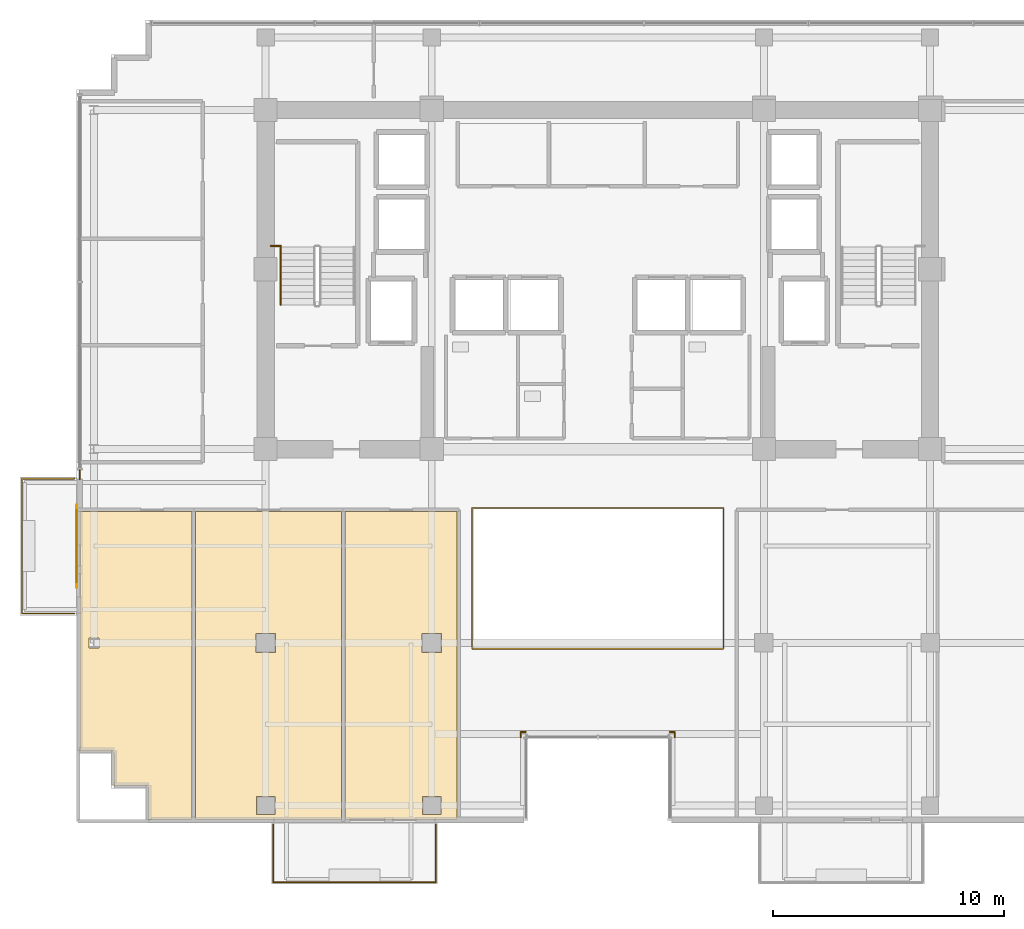
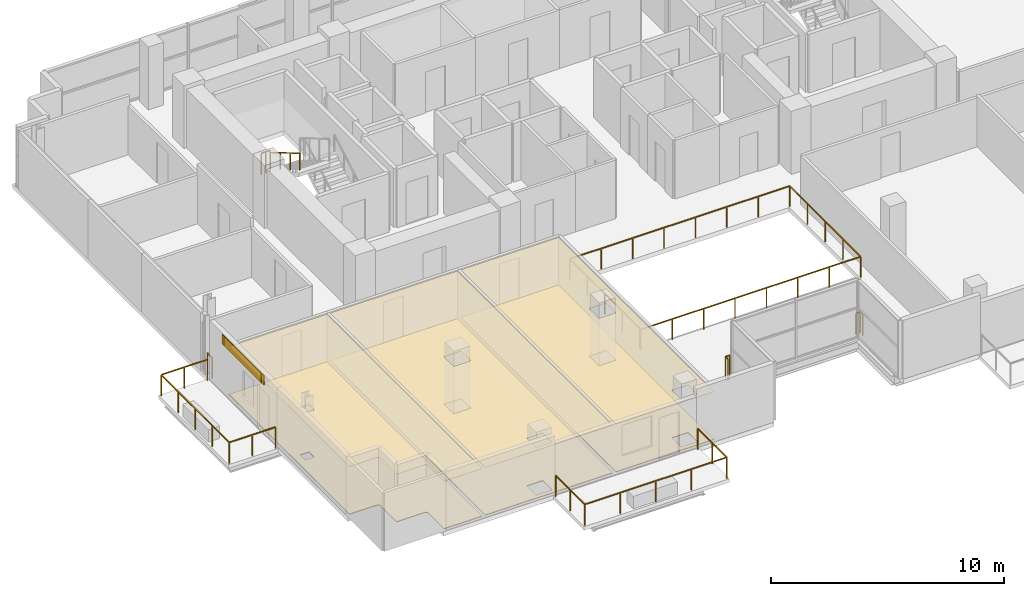
# One storey, part 19 of 22: 10 railings, 7 coverings, 1 shading device.
"""IFC4 building model written with IfcOpenShell, lengths in metres."""

from ifc_helpers import new_model, si_unit, direction, frame, origin, origin_2d, place, context, subcontext, project, spatial, polyline, rectangle, outline, extrude, source, transform, mapped, material, layer, layer_set, type_object, element, save


model = new_model("IFC4")

# Units and contexts
model_context = context("Model", 3, precision=1e-05, world=origin(), true_north=direction((0.0, 1.0)))
body_context = subcontext(model_context, "Body", "Model", "MODEL_VIEW")
ifc_project = project(units=[si_unit("LENGTHUNIT", "METRE"), si_unit("AREAUNIT", "SQUARE_METRE"), si_unit("VOLUMEUNIT", "CUBIC_METRE"), si_unit("PLANEANGLEUNIT", "RADIAN"), si_unit("MASSUNIT", "GRAM", prefix="KILO")], contexts=[model_context])

# Site, building, storey
site_placement = place(None, origin())
site = spatial("IfcSite", under=ifc_project, at=site_placement, CompositionType="ELEMENT")
building_placement = place(site_placement, origin())
building = spatial("IfcBuilding", under=site, at=building_placement, Name="Zarnakvel Exchange Tower", CompositionType="ELEMENT")
storey_placement = place(building_placement, frame((0.0, 0.0, 179.199951171875)))
storey = spatial("IfcBuildingStorey", under=building, at=storey_placement, Name="L50", CompositionType="ELEMENT", Elevation=179.199951171875)

# Coverings
ifc_material_1 = material(Name="Perforated Bronze Acoustic Metal Ceiling", Category="aluminium")
ifc_layer_1 = layer(ifc_material_1, 0.02001953125)
ifc_layer_set_1 = layer_set([ifc_layer_1], Name="Perforated Bronze Acoustic Metal Ceiling")
covering_type_1 = type_object("IfcCoveringType", Name="CLG-01", PredefinedType="CEILING", material=ifc_layer_set_1)
covering_1_placement = place(storey_placement, frame((0.0, 0.0, 2.505126953125)))
element("IfcCovering", 1, at=covering_1_placement, inside=storey, type_object=covering_type_1, Name="L50 Suspended Acoustic Ceiling (Commodities Dealing Room)", PredefinedType="CEILING", context=body_context, shape_type="SweptSolid", body=[
    extrude(outline(polyline([(-17.59228515625, -3.909912109375), (-17.59228515625, -17.25), (-19.47998046875, -17.25), (-19.47998046875, -15.89990234375), (-19.48046875, -15.88818359375), (-19.482421875, -15.876708984375), (-19.485107421875, -15.865234375), (-19.489013671875, -15.85400390625), (-19.494140625, -15.843505859375), (-19.500244140625, -15.833251953125), (-19.50732421875, -15.823974609375), (-19.51513671875, -15.815185546875), (-19.52392578125, -15.80712890625), (-19.533447265625, -15.80029296875), (-19.54345703125, -15.794189453125), (-19.55419921875, -15.7890625), (-19.565185546875, -15.78515625), (-19.57666015625, -15.7822265625), (-19.588134765625, -15.780517578125), (-19.60009765625, -15.780029296875), (-20.97998046875, -15.780029296875), (-20.97998046875, -14.39990234375), (-20.98046875, -14.38818359375), (-20.982421875, -14.376708984375), (-20.985107421875, -14.365234375), (-20.989013671875, -14.35400390625), (-20.994140625, -14.343505859375), (-21.000244140625, -14.333251953125), (-21.00732421875, -14.323974609375), (-21.01513671875, -14.315185546875), (-21.02392578125, -14.30712890625), (-21.033447265625, -14.30029296875), (-21.04345703125, -14.294189453125), (-21.05419921875, -14.2890625), (-21.065185546875, -14.28515625), (-21.07666015625, -14.2822265625), (-21.088134765625, -14.280517578125), (-21.10009765625, -14.280029296875), (-22.449951171875, -14.280029296875), (-22.449951171875, -3.909912109375), (-17.59228515625, -3.909912109375)]), holes=[polyline([(-21.630615234375, -9.81689453125), (-21.630615234375, -9.38330078125), (-22.069580078125, -9.38330078125), (-22.069580078125, -9.81689453125), (-21.630615234375, -9.81689453125)])]), origin(), (0.0, 0.0, 1.0), 0.02001953125),
])
covering_2_placement = place(storey_placement, frame((0.0, 0.0, 2.505126953125)))
element("IfcCovering", 2, at=covering_2_placement, inside=storey, type_object=covering_type_1, Name="L50 Suspended Acoustic Ceiling (Brokerage Office)", PredefinedType="CEILING", context=body_context, shape_type="SweptSolid", body=[
    extrude(outline(polyline([(-17.432373046875, -3.909912109375), (-11.11767578125, -3.909912109375), (-11.11767578125, -17.25), (-17.432373046875, -17.25), (-17.432373046875, -3.909912109375)]), holes=[polyline([(-13.97998046875, -10.02001953125), (-13.97998046875, -9.179931640625), (-14.820068359375, -9.179931640625), (-14.820068359375, -10.02001953125), (-13.97998046875, -10.02001953125)]), polyline([(-14.0048828125, -16.2548828125), (-14.794921875, -16.2548828125), (-14.794921875, -17.044921875), (-14.0048828125, -17.044921875), (-14.0048828125, -16.2548828125)])]), origin(), (0.0, 0.0, 1.0), 0.02001953125),
])
covering_3_placement = place(storey_placement, frame((0.0, 0.0, 2.505126953125)))
element("IfcCovering", 3, at=covering_3_placement, inside=storey, type_object=covering_type_1, Name="L50 Suspended Acoustic Ceiling (Seminar Room)", PredefinedType="CEILING", context=body_context, shape_type="SweptSolid", body=[
    extrude(outline(polyline([(-10.95751953125, -3.909912109375), (-6.10009765625, -3.909912109375), (-6.10009765625, -17.25), (-10.95751953125, -17.25), (-10.95751953125, -3.909912109375)]), holes=[polyline([(-6.780029296875, -10.02001953125), (-6.780029296875, -9.179931640625), (-7.6201171875, -9.179931640625), (-7.6201171875, -10.02001953125), (-6.780029296875, -10.02001953125)]), polyline([(-6.804931640625, -17.044921875), (-6.804931640625, -16.2548828125), (-7.594970703125, -16.2548828125), (-7.594970703125, -17.044921875), (-6.804931640625, -17.044921875)])]), origin(), (0.0, 0.0, 1.0), 0.02001953125),
])
ifc_material_2 = material(Name="Heavy-Duty Raised Access Floor Panel", Category="steel")
ifc_layer_2 = layer(ifc_material_2, 0.034912109375)
ifc_layer_set_2 = layer_set([ifc_layer_2], Name="Heavy-Duty Raised Access Floor Panel")
covering_type_2 = type_object("IfcCoveringType", Name="FLR-02", PredefinedType="FLOORING", material=ifc_layer_set_2)
covering_4_placement = place(storey_placement, origin())
element("IfcCovering", 4, at=covering_4_placement, inside=storey, type_object=covering_type_2, Name="L50 Floor Finish (Commodities Dealing Room)", PredefinedType="FLOORING", context=body_context, shape_type="SweptSolid", body=[
    extrude(outline(polyline([(-17.59228515625, -3.909912109375), (-17.59228515625, -17.25), (-19.47998046875, -17.25), (-19.47998046875, -15.89990234375), (-19.48046875, -15.88818359375), (-19.482421875, -15.876708984375), (-19.485107421875, -15.865234375), (-19.489013671875, -15.85400390625), (-19.494140625, -15.843505859375), (-19.500244140625, -15.833251953125), (-19.50732421875, -15.823974609375), (-19.51513671875, -15.815185546875), (-19.52392578125, -15.80712890625), (-19.533447265625, -15.80029296875), (-19.54345703125, -15.794189453125), (-19.55419921875, -15.7890625), (-19.565185546875, -15.78515625), (-19.57666015625, -15.7822265625), (-19.588134765625, -15.780517578125), (-19.60009765625, -15.780029296875), (-20.97998046875, -15.780029296875), (-20.97998046875, -14.39990234375), (-20.98046875, -14.38818359375), (-20.982421875, -14.376708984375), (-20.985107421875, -14.365234375), (-20.989013671875, -14.35400390625), (-20.994140625, -14.343505859375), (-21.000244140625, -14.333251953125), (-21.00732421875, -14.323974609375), (-21.01513671875, -14.315185546875), (-21.02392578125, -14.30712890625), (-21.033447265625, -14.30029296875), (-21.04345703125, -14.294189453125), (-21.05419921875, -14.2890625), (-21.065185546875, -14.28515625), (-21.07666015625, -14.2822265625), (-21.088134765625, -14.280517578125), (-21.10009765625, -14.280029296875), (-22.449951171875, -14.280029296875), (-22.449951171875, -3.909912109375), (-17.59228515625, -3.909912109375)]), holes=[polyline([(-21.630615234375, -9.81689453125), (-21.630615234375, -9.38330078125), (-22.069580078125, -9.38330078125), (-22.069580078125, -9.81689453125), (-21.630615234375, -9.81689453125)])]), origin(), (0.0, 0.0, 1.0), 0.03515625),
])
covering_5_placement = place(storey_placement, origin())
element("IfcCovering", 5, at=covering_5_placement, inside=storey, type_object=covering_type_2, Name="L50 Floor Finish (Brokerage Office)", PredefinedType="FLOORING", context=body_context, shape_type="SweptSolid", body=[
    extrude(outline(polyline([(-17.432373046875, -3.909912109375), (-11.11767578125, -3.909912109375), (-11.11767578125, -17.25), (-17.432373046875, -17.25), (-17.432373046875, -3.909912109375)]), holes=[polyline([(-13.97998046875, -10.02001953125), (-13.97998046875, -9.179931640625), (-14.820068359375, -9.179931640625), (-14.820068359375, -10.02001953125), (-13.97998046875, -10.02001953125)]), polyline([(-14.0048828125, -16.2548828125), (-14.794921875, -16.2548828125), (-14.794921875, -17.044921875), (-14.0048828125, -17.044921875), (-14.0048828125, -16.2548828125)])]), origin(), (0.0, 0.0, 1.0), 0.03515625),
])
covering_6_placement = place(storey_placement, origin())
element("IfcCovering", 6, at=covering_6_placement, inside=storey, type_object=covering_type_2, Name="L50 Floor Finish (Seminar Room)", PredefinedType="FLOORING", context=body_context, shape_type="SweptSolid", body=[
    extrude(outline(polyline([(-10.95751953125, -3.909912109375), (-6.10009765625, -3.909912109375), (-6.10009765625, -17.25), (-10.95751953125, -17.25), (-10.95751953125, -3.909912109375)]), holes=[polyline([(-6.780029296875, -10.02001953125), (-6.780029296875, -9.179931640625), (-7.6201171875, -9.179931640625), (-7.6201171875, -10.02001953125), (-6.780029296875, -10.02001953125)]), polyline([(-6.804931640625, -17.044921875), (-6.804931640625, -16.2548828125), (-7.594970703125, -16.2548828125), (-7.594970703125, -17.044921875), (-6.804931640625, -17.044921875)])]), origin(), (0.0, 0.0, 1.0), 0.03515625),
])

# Railings
ifc_material_3 = material(Name="Architectural Bronze Anodised Aluminium", Category="aluminium")
railing_type_1 = type_object("IfcRailingType", Name="GR-02", PredefinedType="GUARDRAIL", material=ifc_material_3)
railing_1_placement = place(storey_placement, frame((-14.070068359375, -17.47998046875, -0.034912109375)))
element("IfcRailing", 7, at=railing_1_placement, inside=storey, type_object=railing_type_1, Name="L50 Balcony Guardrail BAL-L50-SW", PredefinedType="GUARDRAIL", context=body_context, shape_type="SweptSolid", body=[
    extrude(rectangle(XDim=0.048095703125, YDim=0.048095703125, at=origin_2d()), frame((0.0, 0.0, 1.09619140625), z_axis=(0.0, -1.0, 0.0), x_axis=(1.0, 0.0, 0.0)), (0.0, 0.0, 1.0), 2.489990234375),
    extrude(rectangle(XDim=0.048095703125, YDim=0.048095703125, at=origin_2d()), frame((0.0, -2.489990234375, 1.09619140625), z_axis=(1.0, 0.0, 0.0), x_axis=(0.0, 1.0, 0.0)), (0.0, 0.0, 1.0), 7.0400390625),
    extrude(rectangle(XDim=0.048095703125, YDim=0.048095703125, at=origin_2d()), frame((7.0400390625, -2.489990234375, 1.09619140625), z_axis=(0.0, 1.0, 0.0), x_axis=(-1.0, 0.0, 0.0)), (0.0, 0.0, 1.0), 2.489990234375),
    extrude(rectangle(XDim=0.0419921875, YDim=0.0419921875, at=origin_2d()), origin(), (0.0, 0.0, 1.0), 1.072021484375),
    extrude(rectangle(XDim=0.0419921875, YDim=0.0419921875, at=origin_2d()), frame((0.0, -1.2451171875, 0.0)), (0.0, 0.0, 1.0), 1.072021484375),
    extrude(rectangle(XDim=0.0419921875, YDim=0.0419921875, at=origin_2d()), frame((0.0, -2.489990234375, 0.0)), (0.0, 0.0, 1.0), 1.072021484375),
    extrude(rectangle(XDim=0.0419921875, YDim=0.0419921875, at=origin_2d()), frame((1.760009765625, -2.489990234375, 0.0)), (0.0, 0.0, 1.0), 1.072021484375),
    extrude(rectangle(XDim=0.0419921875, YDim=0.0419921875, at=origin_2d()), frame((3.52001953125, -2.489990234375, 0.0)), (0.0, 0.0, 1.0), 1.072021484375),
    extrude(rectangle(XDim=0.0419921875, YDim=0.0419921875, at=origin_2d()), frame((5.280029296875, -2.489990234375, 0.0)), (0.0, 0.0, 1.0), 1.072021484375),
    extrude(rectangle(XDim=0.0419921875, YDim=0.0419921875, at=origin_2d()), frame((7.0400390625, -2.489990234375, 0.0)), (0.0, 0.0, 1.0), 1.072021484375),
    extrude(rectangle(XDim=0.0419921875, YDim=0.0419921875, at=origin_2d()), frame((7.0400390625, -1.2451171875, 0.0)), (0.0, 0.0, 1.0), 1.072021484375),
    extrude(rectangle(XDim=0.0419921875, YDim=0.0419921875, at=origin_2d()), frame((7.0400390625, 0.0, 0.0)), (0.0, 0.0, 1.0), 1.072021484375),
])
railing_2_placement = place(storey_placement, frame((-22.679931640625, -8.320068359375, -0.034912109375)))
element("IfcRailing", 8, at=railing_2_placement, inside=storey, type_object=railing_type_1, Name="L50 Balcony Guardrail BAL-L50-W", PredefinedType="GUARDRAIL", context=body_context, shape_type="SweptSolid", body=[
    extrude(rectangle(XDim=0.048095703125, YDim=0.048095703125, at=origin_2d()), frame((0.0, 0.0, 1.09619140625), z_axis=(-1.0, 0.0, 0.0), x_axis=(0.0, -1.0, 0.0)), (0.0, 0.0, 1.0), 2.2900390625),
    extrude(rectangle(XDim=0.048095703125, YDim=0.048095703125, at=origin_2d()), frame((-2.2900390625, 0.0, 1.09619140625), z_axis=(0.0, 1.0, 0.0), x_axis=(-1.0, 0.0, 0.0)), (0.0, 0.0, 1.0), 5.840087890625),
    extrude(rectangle(XDim=0.048095703125, YDim=0.048095703125, at=origin_2d()), frame((-2.2900390625, 5.840087890625, 1.09619140625), z_axis=(1.0, 0.0, 0.0), x_axis=(0.0, 1.0, 0.0)), (0.0, 0.0, 1.0), 2.2900390625),
    extrude(rectangle(XDim=0.0419921875, YDim=0.0419921875, at=origin_2d()), origin(), (0.0, 0.0, 1.0), 1.072021484375),
    extrude(rectangle(XDim=0.0419921875, YDim=0.0419921875, at=origin_2d()), frame((-1.14501953125, 0.0, 0.0)), (0.0, 0.0, 1.0), 1.072021484375),
    extrude(rectangle(XDim=0.0419921875, YDim=0.0419921875, at=origin_2d()), frame((-2.2900390625, 0.0, 0.0)), (0.0, 0.0, 1.0), 1.072021484375),
    extrude(rectangle(XDim=0.0419921875, YDim=0.0419921875, at=origin_2d()), frame((-2.2900390625, 1.4599609375, 0.0)), (0.0, 0.0, 1.0), 1.072021484375),
    extrude(rectangle(XDim=0.0419921875, YDim=0.0419921875, at=origin_2d()), frame((-2.2900390625, 2.919921875, 0.0)), (0.0, 0.0, 1.0), 1.072021484375),
    extrude(rectangle(XDim=0.0419921875, YDim=0.0419921875, at=origin_2d()), frame((-2.2900390625, 4.380126953125, 0.0)), (0.0, 0.0, 1.0), 1.072021484375),
    extrude(rectangle(XDim=0.0419921875, YDim=0.0419921875, at=origin_2d()), frame((-2.2900390625, 5.840087890625, 0.0)), (0.0, 0.0, 1.0), 1.072021484375),
    extrude(rectangle(XDim=0.0419921875, YDim=0.0419921875, at=origin_2d()), frame((-1.14501953125, 5.840087890625, 0.0)), (0.0, 0.0, 1.0), 1.072021484375),
    extrude(rectangle(XDim=0.0419921875, YDim=0.0419921875, at=origin_2d()), frame((0.0, 5.840087890625, 0.0)), (0.0, 0.0, 1.0), 1.072021484375),
])
railing_3_placement = place(storey_placement, frame((-22.4599609375, -2.5, 0.0)))
element("IfcRailing", 9, at=railing_3_placement, inside=storey, type_object=railing_type_1, Name="L50 Corner Spandrel Balustrade #2", PredefinedType="GUARDRAIL", context=body_context, shape_type="SweptSolid", body=[
    extrude(rectangle(XDim=0.048095703125, YDim=0.048095703125, at=origin_2d()), frame((0.0, 0.0, 1.09619140625), z_axis=(0.0, 1.0, 0.0), x_axis=(-1.0, 0.0, 0.0)), (0.0, 0.0, 1.0), 0.39990234375),
    extrude(rectangle(XDim=0.0419921875, YDim=0.0419921875, at=origin_2d()), origin(), (0.0, 0.0, 1.0), 1.072021484375),
    extrude(rectangle(XDim=0.0419921875, YDim=0.0419921875, at=origin_2d()), frame((0.0, 0.39990234375, 0.0)), (0.0, 0.0, 1.0), 1.072021484375),
])
railing_4_placement = place(storey_placement, frame((3.340087890625, -13.679931640625, 0.0)))
element("IfcRailing", 10, at=railing_4_placement, inside=storey, type_object=railing_type_1, Name="L50 Corner Spandrel Balustrade #17", PredefinedType="GUARDRAIL", context=body_context, shape_type="SweptSolid", body=[
    extrude(rectangle(XDim=0.048095703125, YDim=0.048095703125, at=origin_2d()), frame((0.0, 0.0, 1.09619140625), z_axis=(0.0, 1.0, 0.0), x_axis=(-1.0, 0.0, 0.0)), (0.0, 0.0, 1.0), 0.219970703125),
    extrude(rectangle(XDim=0.0419921875, YDim=0.0419921875, at=origin_2d()), origin(), (0.0, 0.0, 1.0), 1.072021484375),
    extrude(rectangle(XDim=0.0419921875, YDim=0.0419921875, at=origin_2d()), frame((0.0, 0.219970703125, 0.0)), (0.0, 0.0, 1.0), 1.072021484375),
])
for number, where, name in (
    (11, (3.340087890625, -13.4599609375, 0.0), "L50 Corner Spandrel Balustrade #18"),
    (12, (-3.1201171875, -13.4599609375, 0.0), "L50 Corner Spandrel Balustrade #19"),
):
    element("IfcRailing", number, at=place(storey_placement, frame(where)), inside=storey, type_object=railing_type_1, Name=name, PredefinedType="GUARDRAIL", context=body_context, shape_type="SweptSolid", body=[
        extrude(rectangle(XDim=0.048095703125, YDim=0.048095703125, at=origin_2d()), frame((0.0, 0.0, 1.09619140625), z_axis=(-1.0, 0.0, 0.0), x_axis=(0.0, -1.0, 0.0)), (0.0, 0.0, 1.0), 0.219970703125),
        extrude(rectangle(XDim=0.0419921875, YDim=0.0419921875, at=origin_2d()), origin(), (0.0, 0.0, 1.0), 1.072021484375),
        extrude(rectangle(XDim=0.0419921875, YDim=0.0419921875, at=origin_2d()), frame((-0.219970703125, 0.0, 0.0)), (0.0, 0.0, 1.0), 1.072021484375),
    ])
railing_5_placement = place(storey_placement, frame((-3.340087890625, -13.4599609375, 0.0)))
element("IfcRailing", 13, at=railing_5_placement, inside=storey, type_object=railing_type_1, Name="L50 Corner Spandrel Balustrade #20", PredefinedType="GUARDRAIL", context=body_context, shape_type="SweptSolid", body=[
    extrude(rectangle(XDim=0.048095703125, YDim=0.048095703125, at=origin_2d()), frame((0.0, 0.0, 1.09619140625), z_axis=(0.0, -1.0, 0.0), x_axis=(1.0, 0.0, 0.0)), (0.0, 0.0, 1.0), 0.219970703125),
    extrude(rectangle(XDim=0.0419921875, YDim=0.0419921875, at=origin_2d()), origin(), (0.0, 0.0, 1.0), 1.072021484375),
    extrude(rectangle(XDim=0.0419921875, YDim=0.0419921875, at=origin_2d()), frame((0.0, -0.219970703125, 0.0)), (0.0, 0.0, 1.0), 1.072021484375),
])
railing_type_2 = type_object("IfcRailingType", Name="GR-03", PredefinedType="GUARDRAIL", material=ifc_material_3)
railing_6_placement = place(storey_placement, frame((-5.449951171875, -9.85009765625, 0.0)))
element("IfcRailing", 14, at=railing_6_placement, inside=storey, type_object=railing_type_2, Name="L50 Atrium Void Perimeter Balustrade", PredefinedType="GUARDRAIL", context=body_context, shape_type="SweptSolid", body=[
    extrude(rectangle(XDim=0.048095703125, YDim=0.048095703125, at=origin_2d()), frame((0.0, 0.0, 1.076171875), z_axis=(1.0, 0.0, 0.0), x_axis=(0.0, 1.0, 0.0)), (0.0, 0.0, 1.0), 10.89990234375),
    extrude(rectangle(XDim=0.048095703125, YDim=0.048095703125, at=origin_2d()), frame((10.89990234375, 0.0, 1.076171875), z_axis=(0.0, 1.0, 0.0), x_axis=(-1.0, 0.0, 0.0)), (0.0, 0.0, 1.0), 6.10009765625),
    extrude(rectangle(XDim=0.048095703125, YDim=0.048095703125, at=origin_2d()), frame((10.89990234375, 6.10009765625, 1.076171875), z_axis=(-1.0, 0.0, 0.0), x_axis=(0.0, -1.0, 0.0)), (0.0, 0.0, 1.0), 10.89990234375),
    extrude(rectangle(XDim=0.048095703125, YDim=0.048095703125, at=origin_2d()), frame((0.0, 6.10009765625, 1.076171875), z_axis=(0.0, -1.0, 0.0), x_axis=(1.0, 0.0, 0.0)), (0.0, 0.0, 1.0), 6.02001953125),
    extrude(rectangle(XDim=0.0419921875, YDim=0.0419921875, at=origin_2d()), origin(), (0.0, 0.0, 1.0), 1.052001953125),
    extrude(rectangle(XDim=0.0419921875, YDim=0.0419921875, at=origin_2d()), frame((1.55712890625, 0.0, 0.0)), (0.0, 0.0, 1.0), 1.052001953125),
    extrude(rectangle(XDim=0.0419921875, YDim=0.0419921875, at=origin_2d()), frame((3.1142578125, 0.0, 0.0)), (0.0, 0.0, 1.0), 1.052001953125),
    extrude(rectangle(XDim=0.0419921875, YDim=0.0419921875, at=origin_2d()), frame((4.67138671875, 0.0, 0.0)), (0.0, 0.0, 1.0), 1.052001953125),
    extrude(rectangle(XDim=0.0419921875, YDim=0.0419921875, at=origin_2d()), frame((6.228515625, 0.0, 0.0)), (0.0, 0.0, 1.0), 1.052001953125),
    extrude(rectangle(XDim=0.0419921875, YDim=0.0419921875, at=origin_2d()), frame((7.78564453125, 0.0, 0.0)), (0.0, 0.0, 1.0), 1.052001953125),
    extrude(rectangle(XDim=0.0419921875, YDim=0.0419921875, at=origin_2d()), frame((9.3427734375, 0.0, 0.0)), (0.0, 0.0, 1.0), 1.052001953125),
    extrude(rectangle(XDim=0.0419921875, YDim=0.0419921875, at=origin_2d()), frame((10.89990234375, 0.0, 0.0)), (0.0, 0.0, 1.0), 1.052001953125),
    extrude(rectangle(XDim=0.0419921875, YDim=0.0419921875, at=origin_2d()), frame((10.89990234375, 1.52490234375, 0.0)), (0.0, 0.0, 1.0), 1.052001953125),
    extrude(rectangle(XDim=0.0419921875, YDim=0.0419921875, at=origin_2d()), frame((10.89990234375, 3.050048828125, 0.0)), (0.0, 0.0, 1.0), 1.052001953125),
    extrude(rectangle(XDim=0.0419921875, YDim=0.0419921875, at=origin_2d()), frame((10.89990234375, 4.5751953125, 0.0)), (0.0, 0.0, 1.0), 1.052001953125),
    extrude(rectangle(XDim=0.0419921875, YDim=0.0419921875, at=origin_2d()), frame((10.89990234375, 6.10009765625, 0.0)), (0.0, 0.0, 1.0), 1.052001953125),
    extrude(rectangle(XDim=0.0419921875, YDim=0.0419921875, at=origin_2d()), frame((9.3427734375, 6.10009765625, 0.0)), (0.0, 0.0, 1.0), 1.052001953125),
    extrude(rectangle(XDim=0.0419921875, YDim=0.0419921875, at=origin_2d()), frame((7.78564453125, 6.10009765625, 0.0)), (0.0, 0.0, 1.0), 1.052001953125),
    extrude(rectangle(XDim=0.0419921875, YDim=0.0419921875, at=origin_2d()), frame((6.228515625, 6.10009765625, 0.0)), (0.0, 0.0, 1.0), 1.052001953125),
    extrude(rectangle(XDim=0.0419921875, YDim=0.0419921875, at=origin_2d()), frame((4.67138671875, 6.10009765625, 0.0)), (0.0, 0.0, 1.0), 1.052001953125),
    extrude(rectangle(XDim=0.0419921875, YDim=0.0419921875, at=origin_2d()), frame((3.1142578125, 6.10009765625, 0.0)), (0.0, 0.0, 1.0), 1.052001953125),
    extrude(rectangle(XDim=0.0419921875, YDim=0.0419921875, at=origin_2d()), frame((1.55712890625, 6.10009765625, 0.0)), (0.0, 0.0, 1.0), 1.052001953125),
    extrude(rectangle(XDim=0.0419921875, YDim=0.0419921875, at=origin_2d()), frame((0.0, 6.10009765625, 0.0)), (0.0, 0.0, 1.0), 1.052001953125),
    extrude(rectangle(XDim=0.0419921875, YDim=0.0419921875, at=origin_2d()), frame((0.0, 4.59521484375, 0.0)), (0.0, 0.0, 1.0), 1.052001953125),
    extrude(rectangle(XDim=0.0419921875, YDim=0.0419921875, at=origin_2d()), frame((0.0, 3.090087890625, 0.0)), (0.0, 0.0, 1.0), 1.052001953125),
    extrude(rectangle(XDim=0.0419921875, YDim=0.0419921875, at=origin_2d()), frame((0.0, 1.5849609375, 0.0)), (0.0, 0.0, 1.0), 1.052001953125),
    extrude(rectangle(XDim=0.0419921875, YDim=0.0419921875, at=origin_2d()), frame((0.0, 0.080078125, 0.0)), (0.0, 0.0, 1.0), 1.052001953125),
])
ifc_material_4 = material(Name="Brushed Stainless Steel", Category="steel")
railing_type_3 = type_object("IfcRailingType", Name="HR-01", PredefinedType="HANDRAIL", material=ifc_material_4)
railing_7_placement = place(storey_placement, frame((-13.75, 7.570068359375, 1.81494140625)))
element("IfcRailing", 15, at=railing_7_placement, inside=storey, type_object=railing_type_3, Name="L50 ST-01 stair handrail 2", PredefinedType="HANDRAIL", context=body_context, shape_type="SweptSolid", body=[
    extrude(rectangle(XDim=0.048095703125, YDim=0.048095703125, at=origin_2d()), frame((0.0, 0.0, 0.8759765625), z_axis=(0.0, -0.86152411907, 0.507716645641), x_axis=(1.0, 0.0, 0.0)), (0.0, 0.0, 1.0), 2.925048828125),
    extrude(rectangle(XDim=0.0419921875, YDim=0.0419921875, at=origin_2d()), origin(), (0.0, 0.0, 1.0), 0.851806640625),
    extrude(rectangle(XDim=0.0419921875, YDim=0.0419921875, at=origin_2d()), frame((0.0, -0.840087890625, 0.4951171875)), (0.0, 0.0, 1.0), 0.851806640625),
    extrude(rectangle(XDim=0.0419921875, YDim=0.0419921875, at=origin_2d()), frame((0.0, -1.679931640625, 0.989990234375)), (0.0, 0.0, 1.0), 0.851806640625),
    extrude(rectangle(XDim=0.0419921875, YDim=0.0419921875, at=origin_2d()), frame((0.0, -2.52001953125, 1.485107421875)), (0.0, 0.0, 1.0), 0.851806640625),
])
railing_type_4 = type_object("IfcRailingType", Name="SG-01", PredefinedType="GUARDRAIL", material=ifc_material_3)
railing_8_placement = place(storey_placement, frame((-14.179931640625, 7.610107421875, 1.650146484375)))
element("IfcRailing", 16, at=railing_8_placement, inside=storey, type_object=railing_type_4, Name="L50 ST-01 Landing Slot Guardrail", PredefinedType="GUARDRAIL", context=body_context, shape_type="SweptSolid", body=[
    extrude(rectangle(XDim=0.048095703125, YDim=0.048095703125, at=origin_2d()), frame((0.0, 0.0, 1.1259765625), z_axis=(1.0, 0.0, 0.0), x_axis=(0.0, 1.0, 0.0)), (0.0, 0.0, 1.0), 0.429931640625),
    extrude(rectangle(XDim=0.0419921875, YDim=0.0419921875, at=origin_2d()), origin(), (0.0, 0.0, 1.0), 1.101806640625),
    extrude(rectangle(XDim=0.0419921875, YDim=0.0419921875, at=origin_2d()), frame((0.21484375, 0.0, 0.0)), (0.0, 0.0, 1.0), 1.101806640625),
    extrude(rectangle(XDim=0.0419921875, YDim=0.0419921875, at=origin_2d()), frame((0.429931640625, 0.0, 0.0)), (0.0, 0.0, 1.0), 1.101806640625),
])

# Covering
ifc_material_5 = material(Name="Warm Sandstone Terracotta Spandrel Tile", Category="masonry")
ifc_layer_3 = layer(ifc_material_5, 0.031982421875)
ifc_layer_set_3 = layer_set([ifc_layer_3], Name="Warm Sandstone Terracotta Spandrel Tile")
covering_type_3 = type_object("IfcCoveringType", Name="CL-02", PredefinedType="CLADDING", material=ifc_layer_set_3)
shared_shape_1 = source(origin(), body_context, "Body", "SweptSolid", [
    extrude(rectangle(XDim=3.60009765625, YDim=0.031982421875, at=origin_2d()), origin(), (0.0, 0.0, 1.0), 0.4951171875),
])
covering_7_placement = place(storey_placement, frame((-22.593994140625, -5.39990234375, 2.56005859375), z_axis=(0.0, 0.0, 1.0), x_axis=(0.0, 1.0, 0.0)))
element("IfcCovering", 17, at=covering_7_placement, inside=storey, type_object=covering_type_3, Name="L50 Ceramic Spandrel Tilework CL-02", PredefinedType="CLADDING", context=body_context, shape_type="MappedRepresentation", body=[
    mapped(shared_shape_1, transform((0.0, 0.0, 0.0), x_axis=(1.0, 0.0, 0.0), y_axis=(0.0, 1.0, 0.0), z_axis=(0.0, 0.0, 1.0), scale=1.0)),
])

# Shading device
ifc_material_6 = material(Name="Perforated Architectural Bronze Screen", Category="aluminium")
ifc_layer_4 = layer(ifc_material_6, 0.044921875)
ifc_layer_set_4 = layer_set([ifc_layer_4], Name="Perforated Architectural Bronze Screen")
shading_device_type = type_object("IfcShadingDeviceType", Name="SS-01", PredefinedType="JALOUSIE", material=ifc_layer_set_4)
shared_shape_2 = source(origin(), body_context, "Body", "SweptSolid", [
    extrude(rectangle(XDim=3.199951171875, YDim=0.044921875, at=origin_2d()), origin(), (0.0, 0.0, 1.0), 0.4951171875),
])
shading_device_placement = place(storey_placement, frame((-22.6005859375, -5.39990234375, 2.56005859375), z_axis=(0.0, 0.0, 1.0), x_axis=(0.0, 1.0, 0.0)))
element("IfcShadingDevice", 18, at=shading_device_placement, inside=storey, type_object=shading_device_type, Name="L50 Bronze Solar Shading Screen SS-01", PredefinedType="JALOUSIE", context=body_context, shape_type="MappedRepresentation", body=[
    mapped(shared_shape_2, transform((0.0, 0.0, 0.0), x_axis=(1.0, 0.0, 0.0), y_axis=(0.0, 1.0, 0.0), z_axis=(0.0, 0.0, 1.0), scale=1.0)),
])

save(model, "model.ifc")
